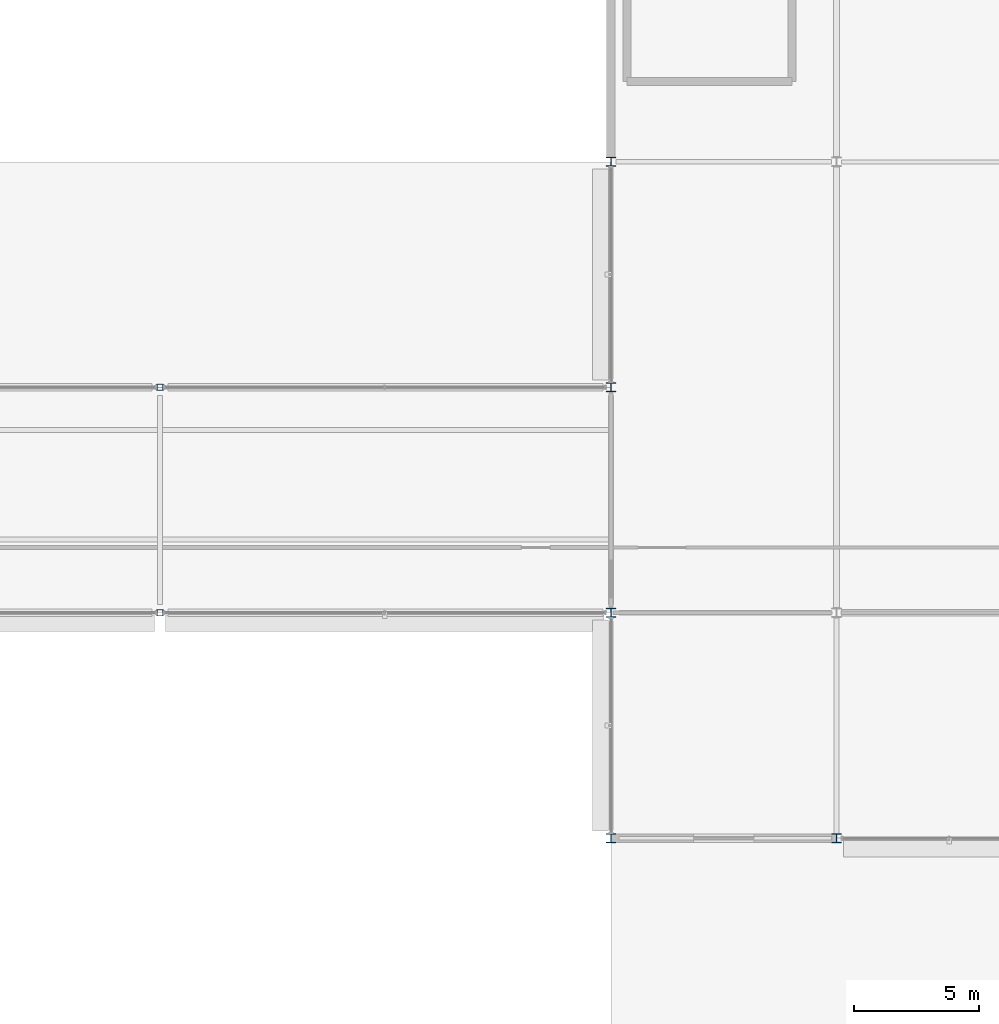
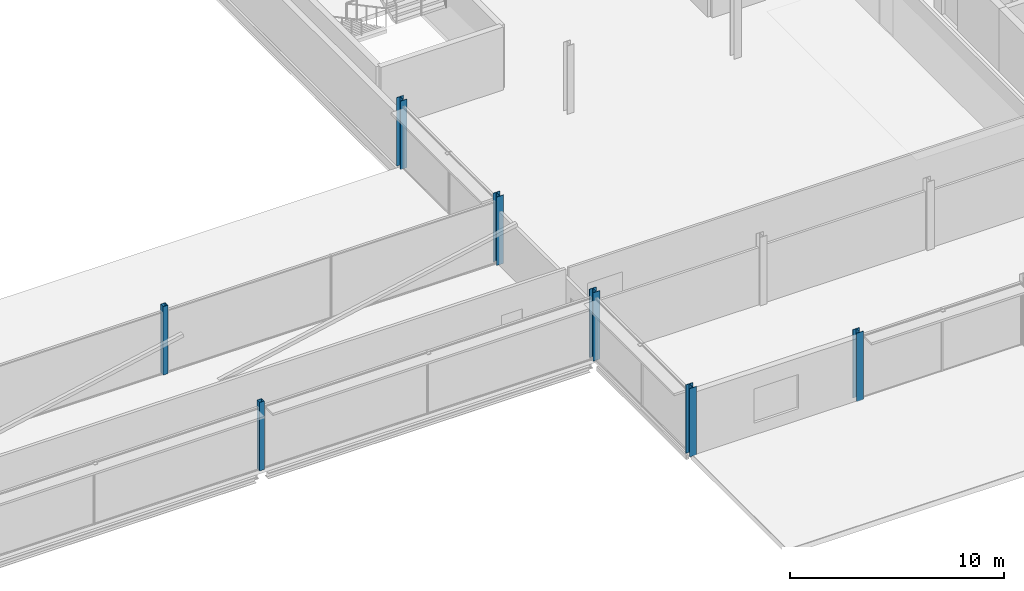
# One storey, part 10 of 105: 7 columns.
"""IFC4 building model written with IfcOpenShell, lengths in metres."""

from ifc_helpers import new_model, si_unit, direction, frame, origin, origin_2d, place, context, subcontext, project, spatial, hollow_rectangle, i_section, extrude, material, material_profile, profile_set, type_object, element, save


model = new_model("IFC4")

# Units and contexts
model_context = context("Model", 3, precision=1e-05, world=origin(), true_north=direction((0.0, 1.0)))
body_context = subcontext(model_context, "Body", "Model", "MODEL_VIEW")
ifc_project = project(units=[si_unit("LENGTHUNIT", "METRE"), si_unit("AREAUNIT", "SQUARE_METRE"), si_unit("VOLUMEUNIT", "CUBIC_METRE"), si_unit("PLANEANGLEUNIT", "RADIAN"), si_unit("MASSUNIT", "GRAM", prefix="KILO")], contexts=[model_context])

# Site, building, storey
site_placement = place(None, origin())
site = spatial("IfcSite", under=ifc_project, at=site_placement, CompositionType="ELEMENT")
building_placement = place(site_placement, origin())
building = spatial("IfcBuilding", under=site, at=building_placement, Name="Kisiwana Market Hall", CompositionType="ELEMENT")
storey_placement = place(building_placement, frame((0.0, 0.0, 21.60009765625)))
storey = spatial("IfcBuildingStorey", under=building, at=storey_placement, Name="L04", CompositionType="ELEMENT", Elevation=21.60009765625)

# Columns
ifc_material_1 = material(Name="Steel S355", Category="steel")
ifc_material_profile_1 = material_profile(ifc_material_1, hollow_rectangle(XDim=0.25, YDim=0.25, WallThickness=0.012451171875, at=origin_2d()), Name="SHS 250x250x12.5")
ifc_profile_set_1 = profile_set([ifc_material_profile_1], Name="Steel S355")
column_type_1 = type_object("IfcColumnType", Name="COL-STL-SHS250", PredefinedType="COLUMN", material=ifc_profile_set_1)
for number, where, z_axis, x_axis, name in (
    (1, (135.0, 18.0, 0.0), (0.0, 0.0, 1.0), (1.0, 0.0, 0.0), "Column C/16 (L04) C-0839"),
    (2, (135.0, 27.0, 0.0), (0.0, 0.0, 1.0), (1.0, 0.0, 0.0), "Column D/16 (L04) C-0840"),
):
    element("IfcColumn", number, at=place(storey_placement, frame(where, z_axis=z_axis, x_axis=x_axis)), inside=storey, type_object=column_type_1, Name=name, PredefinedType="COLUMN", context=body_context, shape_type="SweptSolid", body=[
        extrude(hollow_rectangle(XDim=0.25, YDim=0.25, WallThickness=0.012451171875, at=origin_2d()), origin(), (0.0, 0.0, 1.0), 3.89990234375),
    ])
ifc_material_2 = material(Name="Steel S355", Category="steel")
ifc_material_profile_2 = material_profile(ifc_material_2, i_section(OverallWidth=0.37255859375, OverallDepth=0.3681640625, WebThickness=0.014404296875, FlangeThickness=0.023681640625, FilletRadius=0.01513671875, at=origin_2d()), Name="UC 356x368x177")
ifc_profile_set_2 = profile_set([ifc_material_profile_2], Name="Steel S355")
column_type_2 = type_object("IfcColumnType", Name="COL-STL-UC177", PredefinedType="COLUMN", material=ifc_profile_set_2)
for number, where, z_axis, x_axis, name in (
    (3, (153.0, 9.0, 0.0), (0.0, 0.0, 1.0), (1.0, 0.0, 0.0), "Column B/18 (L04) C-0843"),
    (4, (153.0, 18.0, 0.0), (0.0, 0.0, 1.0), (1.0, 0.0, 0.0), "Column C/18 (L04) C-0844"),
    (5, (153.0, 27.0, 0.0), (0.0, 0.0, 1.0), (1.0, 0.0, 0.0), "Column D/18 (L04) C-0845"),
    (6, (153.0, 36.0, 0.0), (0.0, 0.0, 1.0), (1.0, 0.0, 0.0), "Column E/18 (L04) C-0846"),
    (7, (162.0, 9.0, 0.0), (0.0, 0.0, 1.0), (1.0, 0.0, 0.0), "Column B/19 (L04) C-0852"),
):
    element("IfcColumn", number, at=place(storey_placement, frame(where, z_axis=z_axis, x_axis=x_axis)), inside=storey, type_object=column_type_2, Name=name, PredefinedType="COLUMN", context=body_context, shape_type="SweptSolid", body=[
        extrude(i_section(OverallWidth=0.37255859375, OverallDepth=0.3681640625, WebThickness=0.014404296875, FlangeThickness=0.023681640625, FilletRadius=0.01513671875, at=origin_2d()), origin(), (0.0, 0.0, 1.0), 3.89990234375),
    ])

save(model, "model.ifc")
